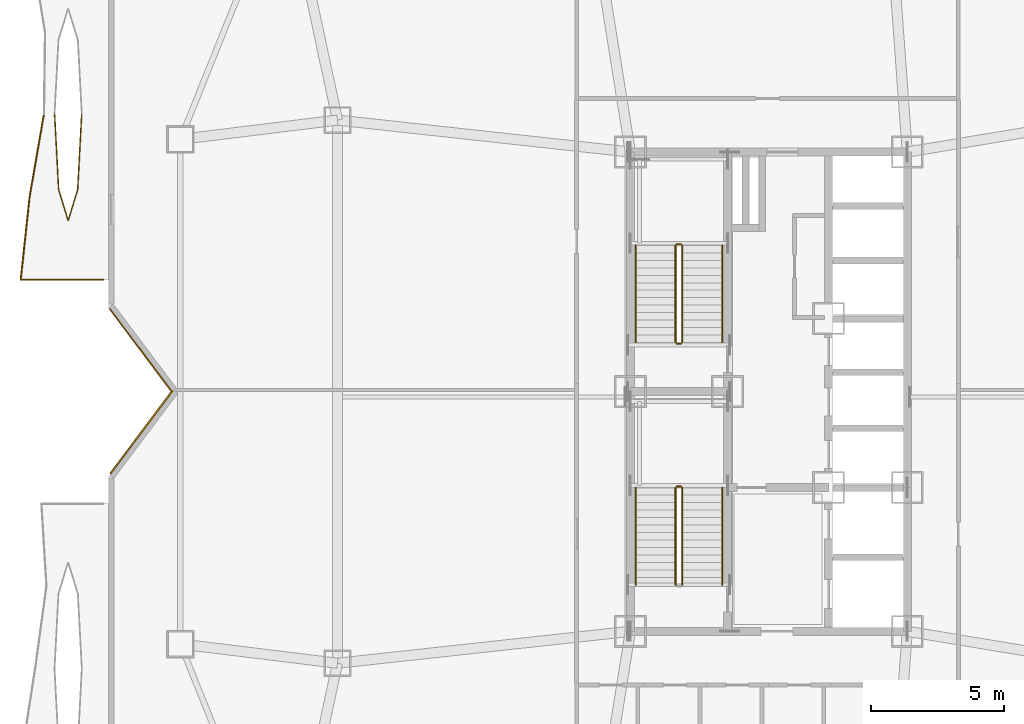
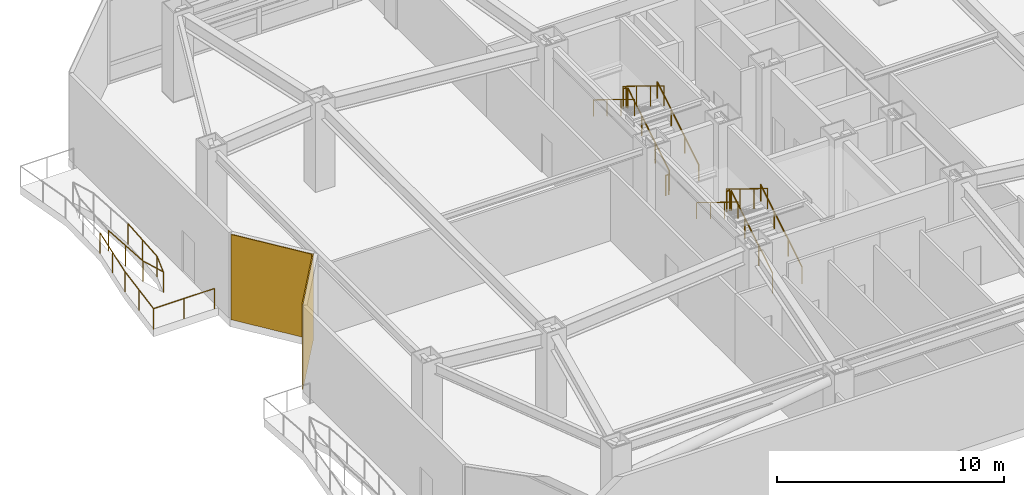
# One storey, part 12 of 14: 13 railings, 2 coverings.
"""IFC4 building model written with IfcOpenShell, lengths in metres."""

from ifc_helpers import new_model, si_unit, direction, frame, origin, origin_2d, place, context, subcontext, project, spatial, rectangle, circle, extrude, material, layer, layer_set, type_object, element, save


model = new_model("IFC4")

# Units and contexts
model_context = context("Model", 3, precision=1e-05, world=origin(), true_north=direction((0.0, 1.0)))
body_context = subcontext(model_context, "Body", "Model", "MODEL_VIEW")
ifc_project = project(units=[si_unit("LENGTHUNIT", "METRE"), si_unit("AREAUNIT", "SQUARE_METRE"), si_unit("VOLUMEUNIT", "CUBIC_METRE"), si_unit("PLANEANGLEUNIT", "RADIAN"), si_unit("MASSUNIT", "GRAM", prefix="KILO")], contexts=[model_context])

# Site, building, storey
site_placement = place(None, origin())
site = spatial("IfcSite", under=ifc_project, at=site_placement, CompositionType="ELEMENT")
building_placement = place(site_placement, origin())
building = spatial("IfcBuilding", under=site, at=building_placement, Name="Khamvora Tower", CompositionType="ELEMENT")
storey_placement = place(building_placement, frame((0.0, 0.0, 89.800048828125)))
storey = spatial("IfcBuildingStorey", under=building, at=storey_placement, Name="L22", CompositionType="ELEMENT", Elevation=89.800048828125)

# Coverings
ifc_material_1 = material(Name="Pale Anodised Aluminium Rainscreen Panel", Category="aluminium")
ifc_layer_1 = layer(ifc_material_1, 0.044921875)
ifc_layer_set_1 = layer_set([ifc_layer_1], Name="Pale Anodised Aluminium Rainscreen Panel")
covering_type_1 = type_object("IfcCoveringType", Name="COV-CLD-ALU", PredefinedType="CLADDING", material=ifc_layer_set_1)
covering_1_placement = place(storey_placement, frame((10.592041015625, 29.580078125, 0.0), z_axis=(0.0, 0.0, 1.0), x_axis=(-0.600000000002, 0.799999999998, 0.0)))
element("IfcCovering", 1, at=covering_1_placement, inside=storey, type_object=covering_type_1, Name="L22 chamfer rainscreen cladding 04.1", PredefinedType="CLADDING", context=body_context, shape_type="SweptSolid", body=[
    extrude(rectangle(XDim=3.85498046875, YDim=0.044921875, at=origin_2d()), origin(), (0.0, 0.0, 1.0), 4.580078125),
])
ifc_material_2 = material(Name="Anodised Bronze Aluminium Spandrel Panel", Category="aluminium")
ifc_layer_2 = layer(ifc_material_2, 0.054931640625)
ifc_layer_set_2 = layer_set([ifc_layer_2], Name="Anodised Bronze Aluminium Spandrel Panel")
covering_type_2 = type_object("IfcCoveringType", Name="COV-CLD-BRZ", PredefinedType="CLADDING", material=ifc_layer_set_2)
covering_2_placement = place(storey_placement, frame((10.633056640625, 26.47412109375, 0.0), z_axis=(0.0, 0.0, 1.0), x_axis=(0.600040085427, 0.799969934361, 0.0)))
element("IfcCovering", 2, at=covering_2_placement, inside=storey, type_object=covering_type_2, Name="L22 chamfer rainscreen cladding 03.1", PredefinedType="CLADDING", context=body_context, shape_type="SweptSolid", body=[
    extrude(rectangle(XDim=3.89111328125, YDim=0.054931640625, at=origin_2d()), origin(), (0.0, 0.0, 1.0), 4.580078125),
])

# Railings
ifc_material_3 = material(Name="Stainless Steel 316 and Laminated Glass", Category="steel")
railing_type_1 = type_object("IfcRailingType", Name="RAL-GAL-1120", PredefinedType="GUARDRAIL", material=ifc_material_3)
railing_1_placement = place(storey_placement, frame((9.199951171875, 32.199951171875, 0.0)))
element("IfcRailing", 3, at=railing_1_placement, inside=storey, type_object=railing_type_1, Name="L22 lens gallery south perimeter guardrail WL2", PredefinedType="GUARDRAIL", context=body_context, shape_type="SweptSolid", body=[
    extrude(circle(Radius=0.02392578125, at=origin_2d()), frame((0.0, 0.0, 1.09619140625), z_axis=(-1.0, 0.0, 0.0), x_axis=(0.0, -1.0, 0.0)), (0.0, 0.0, 1.0), 3.099853515625),
    extrude(circle(Radius=0.02392578125, at=origin_2d()), frame((-3.099853515625, 0.0, 1.09619140625), z_axis=(0.10641699792, 0.994321589102, 0.0), x_axis=(-0.994321589102, 0.10641699792, 0.0)), (0.0, 0.0, 1.0), 3.117919921875),
    extrude(circle(Radius=0.02392578125, at=origin_2d()), frame((-2.76806640625, 3.10009765625, 1.09619140625), z_axis=(0.170122627131, 0.985422899946, 0.0), x_axis=(-0.985422899946, 0.170122627131, 0.0)), (0.0, 0.0, 1.0), 3.145751953125),
    extrude(circle(Radius=0.02099609375, at=origin_2d()), origin(), (0.0, 0.0, 1.0), 1.072021484375),
    extrude(circle(Radius=0.02099609375, at=origin_2d()), frame((-1.5498046875, 0.0, 0.0)), (0.0, 0.0, 1.0), 1.072021484375),
    extrude(circle(Radius=0.02099609375, at=origin_2d()), frame((-3.099853515625, 0.0, 0.0)), (0.0, 0.0, 1.0), 1.072021484375),
    extrude(circle(Radius=0.02099609375, at=origin_2d()), frame((-2.93408203125, 1.550048828125, 0.0)), (0.0, 0.0, 1.0), 1.072021484375),
    extrude(circle(Radius=0.02099609375, at=origin_2d()), frame((-2.76806640625, 3.10009765625, 0.0)), (0.0, 0.0, 1.0), 1.072021484375),
    extrude(circle(Radius=0.02099609375, at=origin_2d()), frame((-2.50048828125, 4.64990234375, 0.0)), (0.0, 0.0, 1.0), 1.072021484375),
    extrude(circle(Radius=0.02099609375, at=origin_2d()), frame((-2.23291015625, 6.199951171875, 0.0)), (0.0, 0.0, 1.0), 1.072021484375),
])
railing_2_placement = place(storey_placement, frame((7.381103515625, 38.39990234375, 0.0)))
element("IfcRailing", 4, at=railing_2_placement, inside=storey, type_object=railing_type_1, Name="L22 lens gallery void guardrail WL2B", PredefinedType="GUARDRAIL", context=body_context, shape_type="SweptSolid", body=[
    extrude(circle(Radius=0.02392578125, at=origin_2d()), frame((0.0, 0.0, 1.09619140625), z_axis=(0.052654602562, -0.998612784231, 0.0), x_axis=(0.998612784231, 0.052654602562, 0.0)), (0.0, 0.0, 1.0), 2.809814453125),
    extrude(circle(Radius=0.02392578125, at=origin_2d()), frame((0.14794921875, -2.805908203125, 1.09619140625), z_axis=(0.292871691974, -0.956151751575, 0.0), x_axis=(0.956151751575, 0.292871691974, 0.0)), (0.0, 0.0, 1.0), 1.21533203125),
    extrude(circle(Radius=0.02392578125, at=origin_2d()), frame((0.50390625, -3.968017578125, 1.09619140625), z_axis=(0.292871691974, 0.956151751575, 0.0), x_axis=(-0.956151751575, 0.292871691974, 0.0)), (0.0, 0.0, 1.0), 1.21533203125),
    extrude(circle(Radius=0.02392578125, at=origin_2d()), frame((0.85986328125, -2.805908203125, 1.09619140625), z_axis=(0.052654602562, 0.998612784231, 0.0), x_axis=(-0.998612784231, 0.052654602562, 0.0)), (0.0, 0.0, 1.0), 2.809814453125),
    extrude(circle(Radius=0.02099609375, at=origin_2d()), origin(), (0.0, 0.0, 1.0), 1.072021484375),
    extrude(circle(Radius=0.02099609375, at=origin_2d()), frame((0.073974609375, -1.40283203125, 0.0)), (0.0, 0.0, 1.0), 1.072021484375),
    extrude(circle(Radius=0.02099609375, at=origin_2d()), frame((0.14794921875, -2.805908203125, 0.0)), (0.0, 0.0, 1.0), 1.072021484375),
    extrude(circle(Radius=0.02099609375, at=origin_2d()), frame((0.50390625, -3.968017578125, 0.0)), (0.0, 0.0, 1.0), 1.072021484375),
    extrude(circle(Radius=0.02099609375, at=origin_2d()), frame((0.85986328125, -2.805908203125, 0.0)), (0.0, 0.0, 1.0), 1.072021484375),
    extrude(circle(Radius=0.02099609375, at=origin_2d()), frame((0.933837890625, -1.40283203125, 0.0)), (0.0, 0.0, 1.0), 1.072021484375),
    extrude(circle(Radius=0.02099609375, at=origin_2d()), frame((1.0078125, 0.0, 0.0)), (0.0, 0.0, 1.0), 1.072021484375),
])
ifc_material_4 = material(Name="Brushed Stainless Steel 316", Category="steel")
railing_type_2 = type_object("IfcRailingType", Name="RAL-HDR-920", PredefinedType="HANDRAIL", material=ifc_material_4)
railing_3_placement = place(storey_placement, frame((32.449951171875, 20.75, 0.17138671875)))
element("IfcRailing", 5, at=railing_3_placement, inside=storey, type_object=railing_type_2, Name="L22 ST-01 stair handrail 1", PredefinedType="HANDRAIL", context=body_context, shape_type="SweptSolid", body=[
    extrude(circle(Radius=0.02392578125, at=origin_2d()), frame((0.0, 0.0, 0.8759765625), z_axis=(0.0, 0.852850264322, 0.5221555579), x_axis=(-1.0, 0.0, 0.0)), (0.0, 0.0, 1.0), 4.267822265625),
    extrude(circle(Radius=0.02099609375, at=origin_2d()), origin(), (0.0, 0.0, 1.0), 0.851806640625),
    extrude(circle(Radius=0.02099609375, at=origin_2d()), frame((0.0, 1.21337890625, 0.742919921875)), (0.0, 0.0, 1.0), 0.851806640625),
    extrude(circle(Radius=0.02099609375, at=origin_2d()), frame((0.0, 2.426513671875, 1.485595703125)), (0.0, 0.0, 1.0), 0.851806640625),
    extrude(circle(Radius=0.02099609375, at=origin_2d()), frame((0.0, 3.639892578125, 2.228515625)), (0.0, 0.0, 1.0), 0.851806640625),
])
railing_4_placement = place(storey_placement, frame((29.199951171875, 24.389892578125, 2.5712890625)))
element("IfcRailing", 6, at=railing_4_placement, inside=storey, type_object=railing_type_2, Name="L22 ST-01 stair handrail 2", PredefinedType="HANDRAIL", context=body_context, shape_type="SweptSolid", body=[
    extrude(circle(Radius=0.02392578125, at=origin_2d()), frame((0.0, 0.0, 0.8759765625), z_axis=(0.0, -0.852824790078, 0.522197163366), x_axis=(1.0, 0.0, 0.0)), (0.0, 0.0, 1.0), 4.26806640625),
    extrude(circle(Radius=0.02099609375, at=origin_2d()), origin(), (0.0, 0.0, 1.0), 0.851806640625),
    extrude(circle(Radius=0.02099609375, at=origin_2d()), frame((0.0, -1.21337890625, 0.742919921875)), (0.0, 0.0, 1.0), 0.851806640625),
    extrude(circle(Radius=0.02099609375, at=origin_2d()), frame((0.0, -2.426513671875, 1.48583984375)), (0.0, 0.0, 1.0), 0.851806640625),
    extrude(circle(Radius=0.02099609375, at=origin_2d()), frame((0.0, -3.639892578125, 2.228759765625)), (0.0, 0.0, 1.0), 0.851806640625),
])
railing_5_placement = place(storey_placement, frame((32.449951171875, 29.85009765625, 0.17138671875)))
element("IfcRailing", 7, at=railing_5_placement, inside=storey, type_object=railing_type_2, Name="L22 ST-02 stair handrail 1", PredefinedType="HANDRAIL", context=body_context, shape_type="SweptSolid", body=[
    extrude(circle(Radius=0.02392578125, at=origin_2d()), frame((0.0, 0.0, 0.8759765625), z_axis=(0.0, 0.852850264322, 0.5221555579), x_axis=(-1.0, 0.0, 0.0)), (0.0, 0.0, 1.0), 4.267822265625),
    extrude(circle(Radius=0.02099609375, at=origin_2d()), origin(), (0.0, 0.0, 1.0), 0.851806640625),
    extrude(circle(Radius=0.02099609375, at=origin_2d()), frame((0.0, 1.21337890625, 0.742919921875)), (0.0, 0.0, 1.0), 0.851806640625),
    extrude(circle(Radius=0.02099609375, at=origin_2d()), frame((0.0, 2.426513671875, 1.485595703125)), (0.0, 0.0, 1.0), 0.851806640625),
    extrude(circle(Radius=0.02099609375, at=origin_2d()), frame((0.0, 3.639892578125, 2.228515625)), (0.0, 0.0, 1.0), 0.851806640625),
])
railing_6_placement = place(storey_placement, frame((29.199951171875, 33.489990234375, 2.5712890625)))
element("IfcRailing", 8, at=railing_6_placement, inside=storey, type_object=railing_type_2, Name="L22 ST-02 stair handrail 2", PredefinedType="HANDRAIL", context=body_context, shape_type="SweptSolid", body=[
    extrude(circle(Radius=0.02392578125, at=origin_2d()), frame((0.0, 0.0, 0.8759765625), z_axis=(0.0, -0.852824790078, 0.522197163366), x_axis=(1.0, 0.0, 0.0)), (0.0, 0.0, 1.0), 4.26806640625),
    extrude(circle(Radius=0.02099609375, at=origin_2d()), origin(), (0.0, 0.0, 1.0), 0.851806640625),
    extrude(circle(Radius=0.02099609375, at=origin_2d()), frame((0.0, -1.21337890625, 0.742919921875)), (0.0, 0.0, 1.0), 0.851806640625),
    extrude(circle(Radius=0.02099609375, at=origin_2d()), frame((0.0, -2.426513671875, 1.48583984375)), (0.0, 0.0, 1.0), 0.851806640625),
    extrude(circle(Radius=0.02099609375, at=origin_2d()), frame((0.0, -3.639892578125, 2.228759765625)), (0.0, 0.0, 1.0), 0.851806640625),
])
ifc_material_5 = material(Name="Stainless Steel 316", Category="steel")
railing_type_3 = type_object("IfcRailingType", Name="RAL-STG-1100", PredefinedType="GUARDRAIL", material=ifc_material_5)
railing_7_placement = place(storey_placement, frame((30.949951171875, 20.75, 0.17138671875)))
element("IfcRailing", 9, at=railing_7_placement, inside=storey, type_object=railing_type_3, Name="L22 ST-01 stair guard 1", PredefinedType="GUARDRAIL", context=body_context, shape_type="SweptSolid", body=[
    extrude(circle(Radius=0.02392578125, at=origin_2d()), frame((0.0, 0.0, 1.076171875), z_axis=(0.0, 0.852850264322, 0.5221555579), x_axis=(-1.0, 0.0, 0.0)), (0.0, 0.0, 1.0), 4.267822265625),
    extrude(circle(Radius=0.02099609375, at=origin_2d()), origin(), (0.0, 0.0, 1.0), 1.052001953125),
    extrude(circle(Radius=0.02099609375, at=origin_2d()), frame((0.0, 1.21337890625, 0.742919921875)), (0.0, 0.0, 1.0), 1.052001953125),
    extrude(circle(Radius=0.02099609375, at=origin_2d()), frame((0.0, 2.426513671875, 1.485595703125)), (0.0, 0.0, 1.0), 1.052001953125),
    extrude(circle(Radius=0.02099609375, at=origin_2d()), frame((0.0, 3.639892578125, 2.228515625)), (0.0, 0.0, 1.0), 1.052001953125),
])
railing_8_placement = place(storey_placement, frame((30.89990234375, 24.43994140625, 2.39990234375)))
element("IfcRailing", 10, at=railing_8_placement, inside=storey, type_object=railing_type_3, Name="L22 ST-01 stair guard 2", PredefinedType="GUARDRAIL", context=body_context, shape_type="SweptSolid", body=[
    extrude(circle(Radius=0.02392578125, at=origin_2d()), frame((0.0, 0.0, 1.076171875), z_axis=(-1.0, 0.0, 0.0), x_axis=(0.0, -1.0, 0.0)), (0.0, 0.0, 1.0), 0.14990234375),
    extrude(circle(Radius=0.02099609375, at=origin_2d()), origin(), (0.0, 0.0, 1.0), 1.052001953125),
    extrude(circle(Radius=0.02099609375, at=origin_2d()), frame((-0.14990234375, 0.0, 0.0)), (0.0, 0.0, 1.0), 1.052001953125),
])
railing_9_placement = place(storey_placement, frame((30.699951171875, 24.389892578125, 2.5712890625)))
element("IfcRailing", 11, at=railing_9_placement, inside=storey, type_object=railing_type_3, Name="L22 ST-01 stair guard 3", PredefinedType="GUARDRAIL", context=body_context, shape_type="SweptSolid", body=[
    extrude(circle(Radius=0.02392578125, at=origin_2d()), frame((0.0, 0.0, 1.076171875), z_axis=(0.0, -0.852824790078, 0.522197163366), x_axis=(1.0, 0.0, 0.0)), (0.0, 0.0, 1.0), 4.26806640625),
    extrude(circle(Radius=0.02099609375, at=origin_2d()), origin(), (0.0, 0.0, 1.0), 1.052001953125),
    extrude(circle(Radius=0.02099609375, at=origin_2d()), frame((0.0, -1.21337890625, 0.742919921875)), (0.0, 0.0, 1.0), 1.052001953125),
    extrude(circle(Radius=0.02099609375, at=origin_2d()), frame((0.0, -2.426513671875, 1.48583984375)), (0.0, 0.0, 1.0), 1.052001953125),
    extrude(circle(Radius=0.02099609375, at=origin_2d()), frame((0.0, -3.639892578125, 2.228759765625)), (0.0, 0.0, 1.0), 1.052001953125),
])
railing_10_placement = place(storey_placement, frame((30.949951171875, 29.85009765625, 0.17138671875)))
element("IfcRailing", 12, at=railing_10_placement, inside=storey, type_object=railing_type_3, Name="L22 ST-02 stair guard 1", PredefinedType="GUARDRAIL", context=body_context, shape_type="SweptSolid", body=[
    extrude(circle(Radius=0.02392578125, at=origin_2d()), frame((0.0, 0.0, 1.076171875), z_axis=(0.0, 0.852850264322, 0.5221555579), x_axis=(-1.0, 0.0, 0.0)), (0.0, 0.0, 1.0), 4.267822265625),
    extrude(circle(Radius=0.02099609375, at=origin_2d()), origin(), (0.0, 0.0, 1.0), 1.052001953125),
    extrude(circle(Radius=0.02099609375, at=origin_2d()), frame((0.0, 1.21337890625, 0.742919921875)), (0.0, 0.0, 1.0), 1.052001953125),
    extrude(circle(Radius=0.02099609375, at=origin_2d()), frame((0.0, 2.426513671875, 1.485595703125)), (0.0, 0.0, 1.0), 1.052001953125),
    extrude(circle(Radius=0.02099609375, at=origin_2d()), frame((0.0, 3.639892578125, 2.228515625)), (0.0, 0.0, 1.0), 1.052001953125),
])
railing_11_placement = place(storey_placement, frame((30.89990234375, 33.5400390625, 2.39990234375)))
element("IfcRailing", 13, at=railing_11_placement, inside=storey, type_object=railing_type_3, Name="L22 ST-02 stair guard 2", PredefinedType="GUARDRAIL", context=body_context, shape_type="SweptSolid", body=[
    extrude(circle(Radius=0.02392578125, at=origin_2d()), frame((0.0, 0.0, 1.076171875), z_axis=(-1.0, 0.0, 0.0), x_axis=(0.0, -1.0, 0.0)), (0.0, 0.0, 1.0), 0.14990234375),
    extrude(circle(Radius=0.02099609375, at=origin_2d()), origin(), (0.0, 0.0, 1.0), 1.052001953125),
    extrude(circle(Radius=0.02099609375, at=origin_2d()), frame((-0.14990234375, 0.0, 0.0)), (0.0, 0.0, 1.0), 1.052001953125),
])
railing_12_placement = place(storey_placement, frame((30.699951171875, 33.489990234375, 2.5712890625)))
element("IfcRailing", 14, at=railing_12_placement, inside=storey, type_object=railing_type_3, Name="L22 ST-02 stair guard 3", PredefinedType="GUARDRAIL", context=body_context, shape_type="SweptSolid", body=[
    extrude(circle(Radius=0.02392578125, at=origin_2d()), frame((0.0, 0.0, 1.076171875), z_axis=(0.0, -0.852824790078, 0.522197163366), x_axis=(1.0, 0.0, 0.0)), (0.0, 0.0, 1.0), 4.26806640625),
    extrude(circle(Radius=0.02099609375, at=origin_2d()), origin(), (0.0, 0.0, 1.0), 1.052001953125),
    extrude(circle(Radius=0.02099609375, at=origin_2d()), frame((0.0, -1.21337890625, 0.742919921875)), (0.0, 0.0, 1.0), 1.052001953125),
    extrude(circle(Radius=0.02099609375, at=origin_2d()), frame((0.0, -2.426513671875, 1.48583984375)), (0.0, 0.0, 1.0), 1.052001953125),
    extrude(circle(Radius=0.02099609375, at=origin_2d()), frame((0.0, -3.639892578125, 2.228759765625)), (0.0, 0.0, 1.0), 1.052001953125),
])
railing_13_placement = place(storey_placement, frame((30.89990234375, 29.800048828125, 0.0)))
element("IfcRailing", 15, at=railing_13_placement, inside=storey, type_object=railing_type_3, Name="L22 ST-02 stair guard 4", PredefinedType="GUARDRAIL", context=body_context, shape_type="SweptSolid", body=[
    extrude(circle(Radius=0.02392578125, at=origin_2d()), frame((0.0, 0.0, 1.076171875), z_axis=(-1.0, 0.0, 0.0), x_axis=(0.0, -1.0, 0.0)), (0.0, 0.0, 1.0), 0.14990234375),
    extrude(circle(Radius=0.02099609375, at=origin_2d()), origin(), (0.0, 0.0, 1.0), 1.052001953125),
    extrude(circle(Radius=0.02099609375, at=origin_2d()), frame((-0.14990234375, 0.0, 0.0)), (0.0, 0.0, 1.0), 1.052001953125),
])

save(model, "model.ifc")
